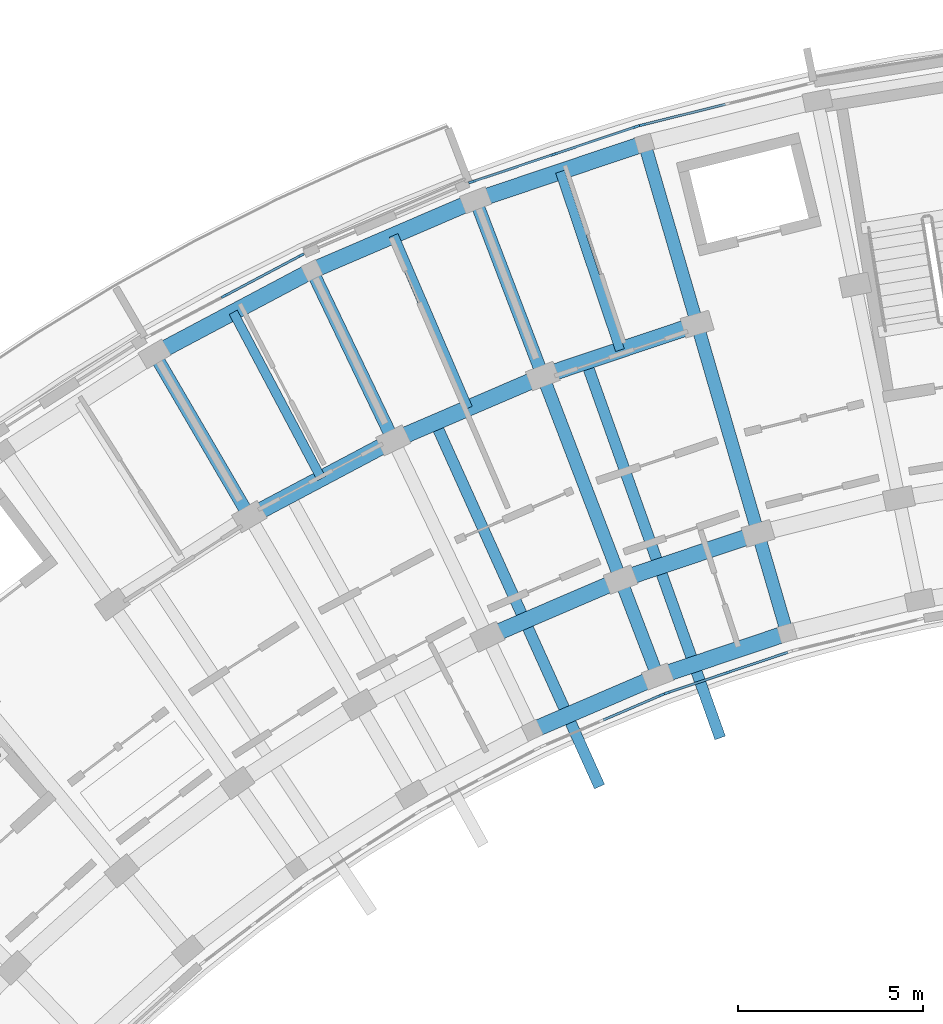
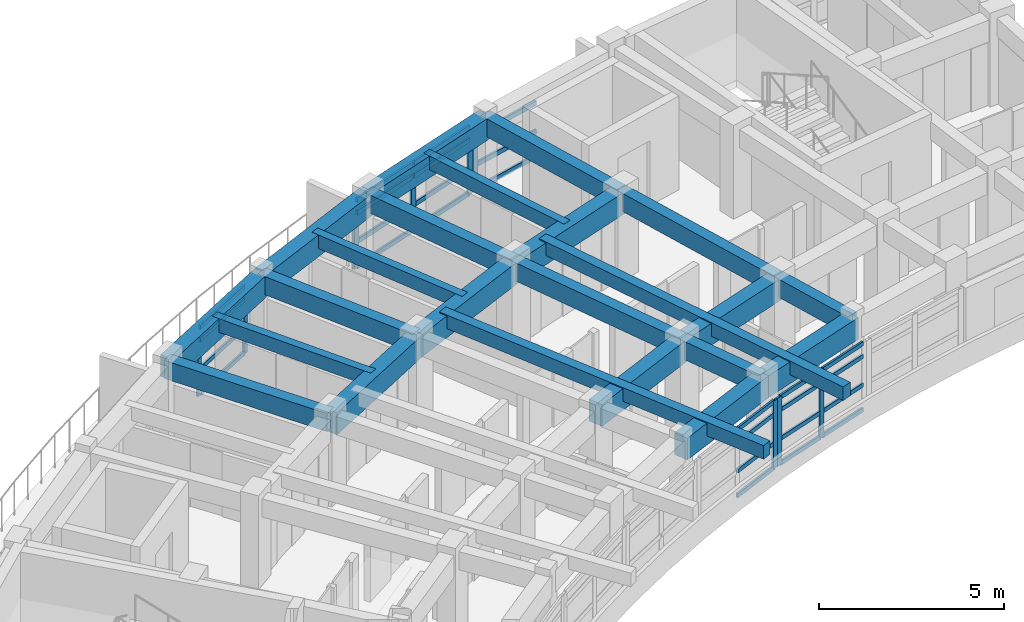
# One storey, part 5 of 54: 36 members, 23 beams, 5 elements without a shape of their own.
"""IFC4 building model written with IfcOpenShell, lengths in metres."""

import ifcopenshell
import ifcopenshell.guid

model = None  # the IFC model being written
_history = None  # IfcOwnerHistory: only IFC2X3 demands one
_inside = {}  # id of a spatial element -> (the spatial element, [elements in it])
_under = {}  # id of a project, library or spatial element -> (it, [spatial elements below it])
_declared = {}  # id of a project -> (the project, [libraries it declares])
_typed = {}  # id of a type object -> (the type object, [elements of that type])
_made_of = {}  # id of a material, layer set ... -> (it, [elements and type objects made of it])


def new_model(schema):
    """Start an empty IFC model of exactly this schema.

    Asked for "IFC4X3", IfcOpenShell would pick the latest addendum, in which some entities
    have other attributes; the version numbers below select the first issue.
    IFC2X3 requires an IfcOwnerHistory on every rooted entity: one is made here for all.
    """
    global model, _history
    if schema == "IFC4X3":
        model = ifcopenshell.file(schema_version=(4, 3, 0, 0))
    else:
        model = ifcopenshell.file(schema=schema)
    _inside.clear()
    _under.clear()
    _declared.clear()
    _typed.clear()
    _made_of.clear()
    _history = None
    if model.schema == "IFC2X3":
        org = make("IfcOrganization", Name="unknown")
        user = make(
            "IfcPersonAndOrganization",
            ThePerson=make("IfcPerson", FamilyName="unknown"),
            TheOrganization=org,
        )
        app = make(
            "IfcApplication",
            ApplicationDeveloper=org,
            Version="unknown",
            ApplicationFullName="unknown",
            ApplicationIdentifier="unknown",
        )
        _history = make(
            "IfcOwnerHistory",
            OwningUser=user,
            OwningApplication=app,
            ChangeAction="ADDED",
            CreationDate=0,
        )
    return model


def make(cls, **values):
    """One entity of the class cls with the attributes given. An attribute that is None is left unset."""
    return model.create_entity(
        cls, **{name: value for name, value in values.items() if value is not None}
    )


def rooted(cls, **values):
    """An entity with a GlobalId (a new one), such as an element, a storey or a relation."""
    return make(cls, GlobalId=ifcopenshell.guid.new(), OwnerHistory=_history, **values)


def si_unit(unit_type, name, prefix=None):
    """IfcSIUnit, for example si_unit("LENGTHUNIT", "METRE", prefix="MILLI")."""
    return make("IfcSIUnit", UnitType=unit_type, Prefix=prefix, Name=name)


def assignment(units):
    """IfcUnitAssignment: the units of a project."""
    return None if units is None else make("IfcUnitAssignment", Units=units)


def point(xyz):
    """IfcCartesianPoint."""
    return None if xyz is None else make("IfcCartesianPoint", Coordinates=xyz)


def direction(xyz):
    """IfcDirection."""
    return None if xyz is None else make("IfcDirection", DirectionRatios=xyz)


def frame(location, z_axis=None, x_axis=None):
    """IfcAxis2Placement3D, a coordinate frame: its origin and axes. An axis left out is left unset."""
    return make(
        "IfcAxis2Placement3D",
        Location=point(location),
        Axis=direction(z_axis),
        RefDirection=direction(x_axis),
    )


def frame_2d(location, x_axis=None):
    """IfcAxis2Placement2D, a coordinate frame in the plane: its origin and x axis."""
    return make(
        "IfcAxis2Placement2D", Location=point(location), RefDirection=direction(x_axis)
    )


def origin():
    """The frame at (0, 0, 0) with its axes left unset."""
    return frame((0.0, 0.0, 0.0))


def origin_2d():
    """The frame at (0, 0) in the plane with its x axis left unset."""
    return frame_2d((0.0, 0.0))


def place(relative_to, where):
    """IfcLocalPlacement: puts the frame where relative to a parent placement (None: the world)."""
    return make(
        "IfcLocalPlacement", PlacementRelTo=relative_to, RelativePlacement=where
    )


def context(
    kind, dimensions, precision=None, world=None, true_north=None, identifier=None
):
    """IfcGeometricRepresentationContext, for example the 3D "Model" context."""
    return make(
        "IfcGeometricRepresentationContext",
        ContextIdentifier=identifier,
        ContextType=kind,
        CoordinateSpaceDimension=dimensions,
        Precision=precision,
        WorldCoordinateSystem=world,
        TrueNorth=true_north,
    )


def subcontext(parent, identifier, kind, view, scale=None):
    """IfcGeometricRepresentationSubContext, for example "Body" below "Model"."""
    return make(
        "IfcGeometricRepresentationSubContext",
        ContextIdentifier=identifier,
        ContextType=kind,
        ParentContext=parent,
        TargetScale=scale,
        TargetView=view,
    )


def project(units=None, contexts=None):
    """IfcProject with its units and contexts."""
    return rooted(
        "IfcProject",
        Name="project",
        RepresentationContexts=contexts,
        UnitsInContext=assignment(units),
    )


def spatial(cls, under=None, at=None, **own):
    """A site, building, storey or space (cls), placed at a placement, below another one or the project."""
    s = rooted(cls, ObjectPlacement=at, **own)
    if under is not None:
        _under.setdefault(under.id(), (under, []))[1].append(s)
    return s


def profile(cls, at=None, kind="AREA", **sizes):
    """A parametric profile (cls). Its sizes go by their IFC names, for example OverallWidth=200.0."""
    return make(cls, ProfileType=kind, Position=at, **sizes)


def rectangle(**sizes):
    """IfcRectangleProfileDef."""
    return profile("IfcRectangleProfileDef", **sizes)


def extrude(swept, where, along, depth):
    """IfcExtrudedAreaSolid: the profile swept, set in the frame where, extruded along a direction by depth."""
    return make(
        "IfcExtrudedAreaSolid",
        SweptArea=swept,
        Position=where,
        ExtrudedDirection=direction(along),
        Depth=depth,
    )


def shape(context_of_items, identifier, shape_type, items):
    """IfcShapeRepresentation: the items that make up one representation, for example the "Body"."""
    return make(
        "IfcShapeRepresentation",
        ContextOfItems=context_of_items,
        RepresentationIdentifier=identifier,
        RepresentationType=shape_type,
        Items=items,
    )


def material(Name=None, Category=None):
    """IfcMaterial."""
    return make("IfcMaterial", Name=Name, Category=Category)


def material_profile(
    of_material, cross_section, Name=None, Category=None, Priority=None
):
    """IfcMaterialProfile: a cross section and its material."""
    return make(
        "IfcMaterialProfile",
        Name=Name,
        Material=of_material,
        Profile=cross_section,
        Priority=Priority,
        Category=Category,
    )


def profile_set(profiles, Name=None, composite=None):
    """IfcMaterialProfileSet."""
    return make(
        "IfcMaterialProfileSet",
        Name=Name,
        MaterialProfiles=profiles,
        CompositeProfile=composite,
    )


def made_of(thing, what):
    """Note that an element or type object is made of a material, layer set ...; save() writes the relation."""
    if what is not None:
        _made_of.setdefault(what.id(), (what, []))[1].append(thing)
    return thing


def type_object(cls, material=None, **own):
    """A type object (cls), such as IfcWallType, which elements share."""
    return made_of(rooted(cls, **own), material)


def element(
    cls,
    number,
    at=None,
    inside=None,
    cuts=None,
    type_object=None,
    material=None,
    context=None,
    identifier="Body",
    shape_type=None,
    held_by="IfcProductDefinitionShape",
    body=None,
    shapes=None,
    **own,
):
    """One element of the class cls, such as IfcWall. Its Tag is "e" and its number.

    at: its placement. inside: the storey or other place that contains it. cuts: it is an
    opening in that element (IfcRelVoidsElement). A single representation is given by context,
    identifier, shape_type and body (its items); several are given by shapes. held_by: the class
    of the entity that holds the representations. save() writes the other relations.
    """
    e = rooted(cls, Tag="e%d" % number, ObjectPlacement=at, **own)
    if body is not None:
        shapes = [shape(context, identifier, shape_type, body)]
    if shapes is not None:
        e.Representation = make(held_by, Representations=shapes)
    if inside is not None:
        _inside.setdefault(inside.id(), (inside, []))[1].append(e)
    if cuts is not None:
        rooted(
            "IfcRelVoidsElement", RelatingBuildingElement=cuts, RelatedOpeningElement=e
        )
    if type_object is not None:
        _typed.setdefault(type_object.id(), (type_object, []))[1].append(e)
    return made_of(e, material)


def aggregate(whole, parts):
    """IfcRelAggregates: a whole, such as a stair, and the parts it consists of."""
    return rooted("IfcRelAggregates", RelatingObject=whole, RelatedObjects=parts)


def save(model, path):
    """Write the relations noted so far, then the file.

    IfcRelAggregates (storeys below a building ...), IfcRelContainedInSpatialStructure (elements
    in a storey), IfcRelDefinesByType, IfcRelAssociatesMaterial and IfcRelDeclares: one each for
    every whole, place, type object, material and project.
    """
    for whole, parts in _under.values():
        aggregate(whole, parts)
    for where, things in _inside.values():
        rooted(
            "IfcRelContainedInSpatialStructure",
            RelatedElements=things,
            RelatingStructure=where,
        )
    for kind, things in _typed.values():
        rooted("IfcRelDefinesByType", RelatedObjects=things, RelatingType=kind)
    for what, things in _made_of.values():
        rooted("IfcRelAssociatesMaterial", RelatedObjects=things, RelatingMaterial=what)
    for by, libraries in _declared.values():
        rooted("IfcRelDeclares", RelatingContext=by, RelatedDefinitions=libraries)
    model.write(path)


model = new_model("IFC4")

# Units and contexts
model_context = context("Model", 3, precision=1e-05, world=origin(), true_north=direction((0.0, 1.0)))
body_context = subcontext(model_context, "Body", "Model", "MODEL_VIEW")
ifc_project = project(units=[si_unit("LENGTHUNIT", "METRE"), si_unit("AREAUNIT", "SQUARE_METRE"), si_unit("VOLUMEUNIT", "CUBIC_METRE"), si_unit("PLANEANGLEUNIT", "RADIAN"), si_unit("MASSUNIT", "GRAM", prefix="KILO")], contexts=[model_context])

# Site, building, storey
site_placement = place(None, origin())
site = spatial("IfcSite", under=ifc_project, at=site_placement, CompositionType="ELEMENT")
building_placement = place(site_placement, origin())
building = spatial("IfcBuilding", under=site, at=building_placement, Name="Zimvara Arc Housing Community", CompositionType="ELEMENT")
storey_placement = place(building_placement, frame((0.0, 0.0, 20.5)))
storey = spatial("IfcBuildingStorey", under=building, at=storey_placement, Name="L06", CompositionType="ELEMENT", Elevation=20.5)

# Beams
ifc_material_1 = material(Name="Concrete C40/50", Category="concrete")
ifc_material_profile_1 = material_profile(ifc_material_1, rectangle(XDim=0.25, YDim=0.449951171875, at=origin_2d()), Name="RC 250x450")
ifc_profile_set_1 = profile_set([ifc_material_profile_1], Name="Concrete C40/50")
beam_type_1 = type_object("IfcBeamType", Name="BM-RC-250x450", PredefinedType="JOIST", material=ifc_profile_set_1)
beam_1_placement = place(storey_placement, frame((19.813232421875, 91.9892578125, 2.635009765625), z_axis=(-0.46853732736, 0.883443701019, 0.0), x_axis=(-0.883443701019, -0.46853732736, 0.0)))
element("IfcBeam", 1, at=beam_1_placement, inside=storey, type_object=beam_type_1, Name="bm:blkA:L06:joist:b4", PredefinedType="JOIST", context=body_context, shape_type="SweptSolid", body=[
    extrude(rectangle(XDim=0.25, YDim=0.449951171875, at=origin_2d()), origin(), (0.0, 0.0, 1.0), 5.07568359375),
])
beam_2_placement = place(storey_placement, frame((23.77197265625, 93.885986328125, 2.635009765625), z_axis=(-0.394929109608, 0.918711596958, 0.0), x_axis=(-0.918711596958, -0.394929109608, 0.0)))
element("IfcBeam", 2, at=beam_2_placement, inside=storey, type_object=beam_type_1, Name="bm:blkA:L06:joist:b5", PredefinedType="JOIST", context=body_context, shape_type="SweptSolid", body=[
    extrude(rectangle(XDim=0.25, YDim=0.449951171875, at=origin_2d()), origin(), (0.0, 0.0, 1.0), 5.075927734375),
])
beam_3_placement = place(storey_placement, frame((27.8720703125, 95.453369140625, 2.635009765625), z_axis=(-0.318607669836, 0.947886677152, 0.0), x_axis=(-0.947886677152, -0.318607669836, 0.0)))
element("IfcBeam", 3, at=beam_3_placement, inside=storey, type_object=beam_type_1, Name="bm:blkA:L06:joist:b6", PredefinedType="JOIST", context=body_context, shape_type="SweptSolid", body=[
    extrude(rectangle(XDim=0.25, YDim=0.449951171875, at=origin_2d()), origin(), (0.0, 0.0, 1.0), 5.07568359375),
])
ifc_material_2 = material(Name="Concrete C40/50", Category="concrete")
ifc_material_profile_2 = material_profile(ifc_material_2, rectangle(XDim=0.300048828125, YDim=0.449951171875, at=origin_2d()), Name="RC 300x450")
ifc_profile_set_2 = profile_set([ifc_material_profile_2], Name="Concrete C40/50")
beam_type_2 = type_object("IfcBeamType", Name="BM-RC-300x450", PredefinedType="JOIST", material=ifc_profile_set_2)
beam_4_placement = place(storey_placement, frame((22.869384765625, 93.53759765625, 2.6650390625), z_axis=(0.411355165121, -0.911475138513, 0.0), x_axis=(0.911475138513, 0.411355165121, 0.0)))
element("IfcBeam", 4, at=beam_4_placement, inside=storey, type_object=beam_type_2, Name="bm:blkA:L06:cant_in:b5", PredefinedType="JOIST", context=body_context, shape_type="SweptSolid", body=[
    extrude(rectangle(XDim=0.300048828125, YDim=0.449951171875, at=origin_2d()), origin(), (0.0, 0.0, 1.0), 10.820068359375),
])
beam_5_placement = place(storey_placement, frame((26.9443359375, 95.1796875, 2.6650390625), z_axis=(0.335595863833, -0.942006059523, 0.0), x_axis=(0.942006059523, 0.335595863833, 0.0)))
element("IfcBeam", 5, at=beam_5_placement, inside=storey, type_object=beam_type_2, Name="bm:blkA:L06:cant_in:b6", PredefinedType="JOIST", context=body_context, shape_type="SweptSolid", body=[
    extrude(rectangle(XDim=0.300048828125, YDim=0.449951171875, at=origin_2d()), origin(), (0.0, 0.0, 1.0), 10.81982421875),
])
ifc_material_3 = material(Name="Concrete C40/50", Category="concrete")
ifc_material_profile_3 = material_profile(ifc_material_3, rectangle(XDim=0.35009765625, YDim=0.60009765625, at=origin_2d()), Name="RC 350x600")
ifc_profile_set_3 = profile_set([ifc_material_profile_3], Name="Concrete C40/50")
beam_type_3 = type_object("IfcBeamType", Name="BM-RC-350x600", PredefinedType="BEAM", material=ifc_profile_set_3)
beam_6_placement = place(storey_placement, frame((17.87255859375, 90.960205078125, 2.56005859375), z_axis=(-0.504196701544, 0.863588840915, 0.0), x_axis=(-0.863588840915, -0.504196701544, 0.0)))
element("IfcBeam", 6, at=beam_6_placement, inside=storey, type_object=beam_type_3, Name="bm:blkA:L06:rad:b4:r23", PredefinedType="BEAM", context=body_context, shape_type="SweptSolid", body=[
    extrude(rectangle(XDim=0.35009765625, YDim=0.60009765625, at=origin_2d()), origin(), (0.0, 0.0, 1.0), 5.079833984375),
])
beam_7_placement = place(storey_placement, frame((21.75390625, 93.0185546875, 2.56005859375), z_axis=(-0.432098194978, 0.901826563091, 0.0), x_axis=(-0.901826563091, -0.432098194978, 0.0)))
element("IfcBeam", 7, at=beam_7_placement, inside=storey, type_object=beam_type_3, Name="bm:blkA:L06:rad:b5:r23", PredefinedType="BEAM", context=body_context, shape_type="SweptSolid", body=[
    extrude(rectangle(XDim=0.35009765625, YDim=0.60009765625, at=origin_2d()), origin(), (0.0, 0.0, 1.0), 5.080078125),
])
beam_8_placement = place(storey_placement, frame((28.88916015625, 86.645751953125, 2.56005859375), z_axis=(-0.357079289134, 0.934074076972, 0.0), x_axis=(-0.934074076972, -0.357079289134, 0.0)))
element("IfcBeam", 8, at=beam_8_placement, inside=storey, type_object=beam_type_3, Name="bm:blkA:L06:rad:b6:r01", PredefinedType="BEAM", context=body_context, shape_type="SweptSolid", body=[
    extrude(rectangle(XDim=0.35009765625, YDim=0.60009765625, at=origin_2d()), origin(), (0.0, 0.0, 1.0), 2.7998046875),
])
beam_9_placement = place(storey_placement, frame((27.889404296875, 89.260986328125, 2.56005859375), z_axis=(-0.357036247742, 0.934090529766, 0.0), x_axis=(-0.934090529766, -0.357036247742, 0.0)))
element("IfcBeam", 9, at=beam_9_placement, inside=storey, type_object=beam_type_3, Name="bm:blkA:L06:rad:b6:r12", PredefinedType="BEAM", context=body_context, shape_type="SweptSolid", body=[
    extrude(rectangle(XDim=0.35009765625, YDim=0.60009765625, at=origin_2d()), origin(), (0.0, 0.0, 1.0), 5.8798828125),
])
beam_10_placement = place(storey_placement, frame((25.7900390625, 94.75341796875, 2.56005859375), z_axis=(-0.357078271386, 0.934074466038, 0.0), x_axis=(-0.934074466038, -0.357078271386, 0.0)))
element("IfcBeam", 10, at=beam_10_placement, inside=storey, type_object=beam_type_3, Name="bm:blkA:L06:rad:b6:r23", PredefinedType="BEAM", context=body_context, shape_type="SweptSolid", body=[
    extrude(rectangle(XDim=0.35009765625, YDim=0.60009765625, at=origin_2d()), origin(), (0.0, 0.0, 1.0), 5.080078125),
])
beam_11_placement = place(storey_placement, frame((32.381591796875, 87.819580078125, 2.56005859375), z_axis=(-0.279635015525, 0.960106378529, 0.0), x_axis=(-0.960106378529, -0.279635015525, 0.0)))
element("IfcBeam", 11, at=beam_11_placement, inside=storey, type_object=beam_type_3, Name="bm:blkA:L06:rad:b7:r01", PredefinedType="BEAM", context=body_context, shape_type="SweptSolid", body=[
    extrude(rectangle(XDim=0.35009765625, YDim=0.60009765625, at=origin_2d()), origin(), (0.0, 0.0, 1.0), 2.800048828125),
])
beam_12_placement = place(storey_placement, frame((31.5986328125, 90.5078125, 2.56005859375), z_axis=(-0.27967473749, 0.960094808449, 0.0), x_axis=(-0.960094808449, -0.27967473749, 0.0)))
element("IfcBeam", 12, at=beam_12_placement, inside=storey, type_object=beam_type_3, Name="bm:blkA:L06:rad:b7:r12", PredefinedType="BEAM", context=body_context, shape_type="SweptSolid", body=[
    extrude(rectangle(XDim=0.35009765625, YDim=0.60009765625, at=origin_2d()), origin(), (0.0, 0.0, 1.0), 5.880126953125),
])
beam_13_placement = place(storey_placement, frame((29.9541015625, 96.1533203125, 2.56005859375), z_axis=(-0.279662254096, 0.960098444762, 0.0), x_axis=(-0.960098444762, -0.279662254096, 0.0)))
element("IfcBeam", 13, at=beam_13_placement, inside=storey, type_object=beam_type_3, Name="bm:blkA:L06:rad:b7:r23", PredefinedType="BEAM", context=body_context, shape_type="SweptSolid", body=[
    extrude(rectangle(XDim=0.35009765625, YDim=0.60009765625, at=origin_2d()), origin(), (0.0, 0.0, 1.0), 5.079833984375),
])
ifc_material_4 = material(Name="Concrete C40/50", Category="concrete")
ifc_material_profile_4 = material_profile(ifc_material_4, rectangle(XDim=0.43994140625, YDim=0.719970703125, at=origin_2d()), Name="RC 440x720")
ifc_profile_set_4 = profile_set([ifc_material_profile_4], Name="Concrete C40/50")
beam_type_4 = type_object("IfcBeamType", Name="BM-RC-440x720", PredefinedType="BEAM", material=ifc_profile_set_4)
for number, where, z_axis, x_axis, name in (
    (14, (25.50439453125, 85.190673828125, 2.5), (0.918705736243, 0.394942742932, 0.0), (-0.394942742932, 0.918705736243, 0.0), "bm:blkA:L06:chord:r0:b5"),
    (15, (28.88916015625, 86.645751953125, 2.5), (0.94789181932, 0.31859237101, 0.0), (-0.31859237101, 0.94789181932, 0.0), "bm:blkA:L06:chord:r0:b6"),
):
    element("IfcBeam", number, at=place(storey_placement, frame(where, z_axis=z_axis, x_axis=x_axis)), inside=storey, type_object=beam_type_4, Name=name, PredefinedType="BEAM", context=body_context, shape_type="SweptSolid", body=[
        extrude(rectangle(XDim=0.43994140625, YDim=0.719970703125, at=origin_2d()), origin(), (0.0, 0.0, 1.0), 3.684326171875),
    ])
for number, where, z_axis, x_axis, name in (
    (16, (24.29443359375, 87.7158203125, 2.5), (0.91873144242, 0.394882940514, 0.0), (-0.394882940514, 0.91873144242, 0.0), "bm:blkA:L06:chord:r1:b5"),
    (17, (27.889404296875, 89.260986328125, 2.5), (0.947881689069, 0.31862250945, 0.0), (-0.31862250945, 0.947881689069, 0.0), "bm:blkA:L06:chord:r1:b6"),
):
    element("IfcBeam", number, at=place(storey_placement, frame(where, z_axis=z_axis, x_axis=x_axis)), inside=storey, type_object=beam_type_4, Name=name, PredefinedType="BEAM", context=body_context, shape_type="SweptSolid", body=[
        extrude(rectangle(XDim=0.43994140625, YDim=0.719970703125, at=origin_2d()), origin(), (0.0, 0.0, 1.0), 3.9130859375),
    ])
for number, where, z_axis, x_axis, name in (
    (18, (17.87255859375, 90.960205078125, 2.5), (0.883456526058, 0.468513144496, 0.0), (-0.468513144496, 0.883456526058, 0.0), "bm:blkA:L06:chord:r2:b4"),
    (19, (21.75390625, 93.0185546875, 2.5), (0.918724840088, 0.394898301093, 0.0), (-0.394898301093, 0.918724840088, 0.0), "bm:blkA:L06:chord:r2:b5"),
):
    element("IfcBeam", number, at=place(storey_placement, frame(where, z_axis=z_axis, x_axis=x_axis)), inside=storey, type_object=beam_type_4, Name=name, PredefinedType="BEAM", context=body_context, shape_type="SweptSolid", body=[
        extrude(rectangle(XDim=0.43994140625, YDim=0.719970703125, at=origin_2d()), origin(), (0.0, 0.0, 1.0), 4.393310546875),
    ])
beam_14_placement = place(storey_placement, frame((25.7900390625, 94.75341796875, 2.5), z_axis=(0.947868796036, 0.318660862832, 0.0), x_axis=(-0.318660862832, 0.947868796036, 0.0)))
element("IfcBeam", 20, at=beam_14_placement, inside=storey, type_object=beam_type_4, Name="bm:blkA:L06:chord:r2:b6", PredefinedType="BEAM", context=body_context, shape_type="SweptSolid", body=[
    extrude(rectangle(XDim=0.43994140625, YDim=0.719970703125, at=origin_2d()), origin(), (0.0, 0.0, 1.0), 4.39306640625),
])
beam_15_placement = place(storey_placement, frame((15.311279296875, 95.34716796875, 2.5), z_axis=(0.883445542299, 0.468533855546, 0.0), x_axis=(-0.468533855546, 0.883445542299, 0.0)))
element("IfcBeam", 21, at=beam_15_placement, inside=storey, type_object=beam_type_4, Name="bm:blkA:L06:chord:r3:b4", PredefinedType="BEAM", context=body_context, shape_type="SweptSolid", body=[
    extrude(rectangle(XDim=0.43994140625, YDim=0.719970703125, at=origin_2d()), origin(), (0.0, 0.0, 1.0), 4.807861328125),
])
beam_16_placement = place(storey_placement, frame((19.558837890625, 97.599853515625, 2.5), z_axis=(0.918724276228, 0.394899612901, 0.0), x_axis=(-0.394899612901, 0.918724276228, 0.0)))
element("IfcBeam", 22, at=beam_16_placement, inside=storey, type_object=beam_type_4, Name="bm:blkA:L06:chord:r3:b5", PredefinedType="BEAM", context=body_context, shape_type="SweptSolid", body=[
    extrude(rectangle(XDim=0.43994140625, YDim=0.719970703125, at=origin_2d()), origin(), (0.0, 0.0, 1.0), 4.80810546875),
])
beam_17_placement = place(storey_placement, frame((23.97607421875, 99.49853515625, 2.5), z_axis=(0.947877948153, 0.31863363822, 0.0), x_axis=(-0.31863363822, 0.947877948153, 0.0)))
element("IfcBeam", 23, at=beam_17_placement, inside=storey, type_object=beam_type_4, Name="bm:blkA:L06:chord:r3:b6", PredefinedType="BEAM", context=body_context, shape_type="SweptSolid", body=[
    extrude(rectangle(XDim=0.43994140625, YDim=0.719970703125, at=origin_2d()), origin(), (0.0, 0.0, 1.0), 4.807861328125),
])

# Curtain wall, members
ifc_material_5 = material(Name="Anodised Aluminium AW-6063", Category="aluminium")
curtain_wall_type_1 = type_object("IfcCurtainWallType", Name="CW-SYS-06", PredefinedType="USERDEFINED", material=ifc_material_5)
curtain_wall_1_placement = place(storey_placement, origin())
curtain_wall_1 = element("IfcCurtainWall", 24, at=curtain_wall_1_placement, inside=storey, type_object=curtain_wall_type_1, Name="cw:blkA:L06:out:b4", ObjectType="CURTAIN WALL", PredefinedType="USERDEFINED")
ifc_material_6 = material(Name="Anodised Aluminium AW-6063", Category="aluminium")
ifc_material_profile_5 = material_profile(ifc_material_6, rectangle(XDim=0.06494140625, YDim=0.179931640625, at=origin_2d()), Name="ALU 65x180")
ifc_profile_set_5 = profile_set([ifc_material_profile_5], Name="Anodised Aluminium AW-6063")
member_type_1 = type_object("IfcMemberType", Name="CWM-65x150", PredefinedType="MULLION", material=ifc_profile_set_5)
member_1_placement = place(storey_placement, frame((17.200927734375, 96.914794921875, 0.0), z_axis=(0.0, 0.0, 1.0), x_axis=(-0.468546917761, 0.883438614651, 0.0)))
member_1 = element("IfcMember", 25, at=member_1_placement, type_object=member_type_1, Name="CW06 mullion 2", PredefinedType="MULLION", context=body_context, shape_type="SweptSolid", body=[
    extrude(rectangle(XDim=0.06494140625, YDim=0.179931640625, at=origin_2d()), origin(), (0.0, 0.0, 1.0), 2.25),
])
member_2_placement = place(storey_placement, frame((19.260986328125, 98.007568359375, 0.0), z_axis=(0.0, 0.0, 1.0), x_axis=(-0.468546917761, 0.883438614651, 0.0)))
member_2 = element("IfcMember", 26, at=member_2_placement, type_object=member_type_1, Name="CW06 mullion 3", PredefinedType="MULLION", context=body_context, shape_type="SweptSolid", body=[
    extrude(rectangle(XDim=0.06494140625, YDim=0.179931640625, at=origin_2d()), origin(), (0.0, 0.0, 1.0), 2.25),
])

# Curtain wall, member
ifc_material_7 = material(Name="Anodised Aluminium AW-6063", Category="aluminium")
curtain_wall_type_2 = type_object("IfcCurtainWallType", Name="CW-SYS-08", PredefinedType="USERDEFINED", material=ifc_material_7)
curtain_wall_2_placement = place(storey_placement, origin())
curtain_wall_2 = element("IfcCurtainWall", 27, at=curtain_wall_2_placement, inside=storey, type_object=curtain_wall_type_2, Name="cw:blkA:L06:in:b5", ObjectType="CURTAIN WALL", PredefinedType="USERDEFINED")
member_3_placement = place(storey_placement, frame((28.98291015625, 86.14208984375, 0.0), z_axis=(0.0, 0.0, 1.0), x_axis=(-0.394904493375, 0.918722178415, 0.0)))
member_3 = element("IfcMember", 28, at=member_3_placement, type_object=member_type_1, Name="CW08 mullion 3", PredefinedType="MULLION", context=body_context, shape_type="SweptSolid", body=[
    extrude(rectangle(XDim=0.06494140625, YDim=0.179931640625, at=origin_2d()), origin(), (0.0, 0.0, 1.0), 2.25),
])

# Curtain wall, members
ifc_material_8 = material(Name="Anodised Aluminium AW-6063", Category="aluminium")
curtain_wall_type_3 = type_object("IfcCurtainWallType", Name="CW-SYS-02", PredefinedType="USERDEFINED", material=ifc_material_8)
curtain_wall_3_placement = place(storey_placement, origin())
curtain_wall_3 = element("IfcCurtainWall", 29, at=curtain_wall_3_placement, inside=storey, type_object=curtain_wall_type_3, Name="cw:blkA:L06:in:b6", ObjectType="CURTAIN WALL", PredefinedType="USERDEFINED")
member_4_placement = place(storey_placement, frame((29.155517578125, 86.2080078125, 0.0), z_axis=(0.0, 0.0, 1.0), x_axis=(-0.318630249383, 0.94787908732, 0.0)))
member_4 = element("IfcMember", 30, at=member_4_placement, type_object=member_type_1, Name="CW02 mullion 1", PredefinedType="MULLION", context=body_context, shape_type="SweptSolid", body=[
    extrude(rectangle(XDim=0.06494140625, YDim=0.179931640625, at=origin_2d()), origin(), (0.0, 0.0, 1.0), 2.25),
])
member_5_placement = place(storey_placement, frame((30.794677734375, 86.759033203125, 0.0), z_axis=(0.0, 0.0, 1.0), x_axis=(-0.318630249383, 0.94787908732, 0.0)))
member_5 = element("IfcMember", 31, at=member_5_placement, type_object=member_type_1, Name="CW02 mullion 2", PredefinedType="MULLION", context=body_context, shape_type="SweptSolid", body=[
    extrude(rectangle(XDim=0.06494140625, YDim=0.179931640625, at=origin_2d()), origin(), (0.0, 0.0, 1.0), 2.25),
])

ifc_material_9 = material(Name="Anodised Aluminium AW-6063", Category="aluminium")
curtain_wall_type_4 = type_object("IfcCurtainWallType", Name="CW-SYS-01", PredefinedType="USERDEFINED", material=ifc_material_9)
curtain_wall_4_placement = place(storey_placement, origin())
curtain_wall_4 = element("IfcCurtainWall", 32, at=curtain_wall_4_placement, inside=storey, type_object=curtain_wall_type_4, Name="cw:blkA:L06:out:b6", ObjectType="CURTAIN WALL", PredefinedType="USERDEFINED")
ifc_material_10 = material(Name="Anodised Aluminium AW-6063", Category="aluminium")
ifc_material_profile_6 = material_profile(ifc_material_10, rectangle(XDim=0.06494140625, YDim=0.195068359375, at=origin_2d()), Name="ALU 65x195")
ifc_profile_set_6 = profile_set([ifc_material_profile_6], Name="Anodised Aluminium AW-6063")
member_type_2 = type_object("IfcMemberType", Name="CWM-65x180", PredefinedType="MULLION", material=ifc_profile_set_6)
member_6_placement = place(storey_placement, frame((23.88525390625, 99.9951171875, 0.0), z_axis=(0.0, 0.0, 1.0), x_axis=(-0.318628583921, 0.947879647164, 0.0)))
member_6 = element("IfcMember", 33, at=member_6_placement, type_object=member_type_2, Name="CW01 mullion 1", PredefinedType="MULLION", context=body_context, shape_type="SweptSolid", body=[
    extrude(rectangle(XDim=0.06494140625, YDim=0.195068359375, at=origin_2d()), origin(), (0.0, 0.0, 1.0), 2.25),
])
member_7_placement = place(storey_placement, frame((26.095703125, 100.73828125, 0.0), z_axis=(0.0, 0.0, 1.0), x_axis=(-0.318628583921, 0.947879647164, 0.0)))
member_7 = element("IfcMember", 34, at=member_7_placement, type_object=member_type_2, Name="CW01 mullion 2", PredefinedType="MULLION", context=body_context, shape_type="SweptSolid", body=[
    extrude(rectangle(XDim=0.06494140625, YDim=0.195068359375, at=origin_2d()), origin(), (0.0, 0.0, 1.0), 2.25),
])
member_8_placement = place(storey_placement, frame((28.305908203125, 101.481201171875, 0.0), z_axis=(0.0, 0.0, 1.0), x_axis=(-0.318628583921, 0.947879647164, 0.0)))
member_8 = element("IfcMember", 35, at=member_8_placement, type_object=member_type_2, Name="CW01 mullion 3", PredefinedType="MULLION", context=body_context, shape_type="SweptSolid", body=[
    extrude(rectangle(XDim=0.06494140625, YDim=0.195068359375, at=origin_2d()), origin(), (0.0, 0.0, 1.0), 2.25),
])

# Curtain wall, member
ifc_material_11 = material(Name="Anodised Aluminium AW-6063", Category="aluminium")
curtain_wall_type_5 = type_object("IfcCurtainWallType", Name="CW-SYS-03", PredefinedType="USERDEFINED", material=ifc_material_11)
curtain_wall_5_placement = place(storey_placement, origin())
curtain_wall_5 = element("IfcCurtainWall", 36, at=curtain_wall_5_placement, inside=storey, type_object=curtain_wall_type_5, Name="cw:blkA:L06:out:b7", ObjectType="CURTAIN WALL", PredefinedType="USERDEFINED")
member_9_placement = place(storey_placement, frame((28.4833984375, 101.532958984375, 0.0), z_axis=(0.0, 0.0, 1.0), x_axis=(-0.240229711131, 0.970716068627, 0.0)))
member_9 = element("IfcMember", 37, at=member_9_placement, type_object=member_type_2, Name="CW03 mullion 1", PredefinedType="MULLION", context=body_context, shape_type="SweptSolid", body=[
    extrude(rectangle(XDim=0.06494140625, YDim=0.195068359375, at=origin_2d()), origin(), (0.0, 0.0, 1.0), 2.25),
])

# Member
ifc_material_12 = material(Name="Anodised Aluminium AW-6063", Category="aluminium")
ifc_material_profile_7 = material_profile(ifc_material_12, rectangle(XDim=0.06494140625, YDim=0.139892578125, at=origin_2d()), Name="ALU 65x140")
ifc_profile_set_7 = profile_set([ifc_material_profile_7], Name="Anodised Aluminium AW-6063")
member_type_3 = type_object("IfcMemberType", Name="CWT-65x120", PredefinedType="USERDEFINED", material=ifc_profile_set_7)
member_10_placement = place(storey_placement, frame((17.2294921875, 96.93017578125, 0.032470703125), z_axis=(0.883489114766, 0.468451688107, 0.0), x_axis=(-0.468451688107, 0.883489114766, 0.0)))
member_10 = element("IfcMember", 38, at=member_10_placement, type_object=member_type_3, Name="CW06 transom 2.1", ObjectType="TRANSOM", PredefinedType="USERDEFINED", context=body_context, shape_type="SweptSolid", body=[
    extrude(rectangle(XDim=0.06494140625, YDim=0.139892578125, at=origin_2d()), origin(), (0.0, 0.0, 1.0), 2.26708984375),
])

member_11_placement = place(storey_placement, frame((17.2294921875, 96.93017578125, 0.85009765625), z_axis=(0.883489114766, 0.468451688107, 0.0), x_axis=(-0.468451688107, 0.883489114766, 0.0)))
member_11 = element("IfcMember", 39, at=member_11_placement, type_object=member_type_3, Name="CW06 transom 2.2", ObjectType="TRANSOM", PredefinedType="USERDEFINED", context=body_context, shape_type="SweptSolid", body=[
    extrude(rectangle(XDim=0.06494140625, YDim=0.139892578125, at=origin_2d()), origin(), (0.0, 0.0, 1.0), 2.26708984375),
])

member_12_placement = place(storey_placement, frame((17.2294921875, 96.93017578125, 1.800048828125), z_axis=(0.883489114766, 0.468451688107, 0.0), x_axis=(-0.468451688107, 0.883489114766, 0.0)))
member_12 = element("IfcMember", 40, at=member_12_placement, type_object=member_type_3, Name="CW06 transom 2.3", ObjectType="TRANSOM", PredefinedType="USERDEFINED", context=body_context, shape_type="SweptSolid", body=[
    extrude(rectangle(XDim=0.06494140625, YDim=0.139892578125, at=origin_2d()), origin(), (0.0, 0.0, 1.0), 2.26708984375),
])

member_13_placement = place(storey_placement, frame((17.2294921875, 96.93017578125, 2.217529296875), z_axis=(0.883489114766, 0.468451688107, 0.0), x_axis=(-0.468451688107, 0.883489114766, 0.0)))
member_13 = element("IfcMember", 41, at=member_13_placement, type_object=member_type_3, Name="CW06 transom 2.4", ObjectType="TRANSOM", PredefinedType="USERDEFINED", context=body_context, shape_type="SweptSolid", body=[
    extrude(rectangle(XDim=0.06494140625, YDim=0.139892578125, at=origin_2d()), origin(), (0.0, 0.0, 1.0), 2.26708984375),
])

aggregate(curtain_wall_1, [member_1, member_2, member_10, member_11, member_12, member_13])

member_14_placement = place(storey_placement, frame((27.423828125, 85.471923828125, 0.032470703125), z_axis=(0.918673978315, 0.395016609229, 0.0), x_axis=(-0.395016609229, 0.918673978315, 0.0)))
member_14 = element("IfcMember", 42, at=member_14_placement, type_object=member_type_3, Name="CW08 transom 2.1", ObjectType="TRANSOM", PredefinedType="USERDEFINED", context=body_context, shape_type="SweptSolid", body=[
    extrude(rectangle(XDim=0.06494140625, YDim=0.139892578125, at=origin_2d()), origin(), (0.0, 0.0, 1.0), 1.664306640625),
])

member_15_placement = place(storey_placement, frame((27.423828125, 85.471923828125, 0.85009765625), z_axis=(0.918673978315, 0.395016609229, 0.0), x_axis=(-0.395016609229, 0.918673978315, 0.0)))
member_15 = element("IfcMember", 43, at=member_15_placement, type_object=member_type_3, Name="CW08 transom 2.2", ObjectType="TRANSOM", PredefinedType="USERDEFINED", context=body_context, shape_type="SweptSolid", body=[
    extrude(rectangle(XDim=0.06494140625, YDim=0.139892578125, at=origin_2d()), origin(), (0.0, 0.0, 1.0), 1.664306640625),
])

member_16_placement = place(storey_placement, frame((27.423828125, 85.471923828125, 1.800048828125), z_axis=(0.918673978315, 0.395016609229, 0.0), x_axis=(-0.395016609229, 0.918673978315, 0.0)))
member_16 = element("IfcMember", 44, at=member_16_placement, type_object=member_type_3, Name="CW08 transom 2.3", ObjectType="TRANSOM", PredefinedType="USERDEFINED", context=body_context, shape_type="SweptSolid", body=[
    extrude(rectangle(XDim=0.06494140625, YDim=0.139892578125, at=origin_2d()), origin(), (0.0, 0.0, 1.0), 1.664306640625),
])

member_17_placement = place(storey_placement, frame((27.423828125, 85.471923828125, 2.217529296875), z_axis=(0.918673978315, 0.395016609229, 0.0), x_axis=(-0.395016609229, 0.918673978315, 0.0)))
member_17 = element("IfcMember", 45, at=member_17_placement, type_object=member_type_3, Name="CW08 transom 2.4", ObjectType="TRANSOM", PredefinedType="USERDEFINED", context=body_context, shape_type="SweptSolid", body=[
    extrude(rectangle(XDim=0.06494140625, YDim=0.139892578125, at=origin_2d()), origin(), (0.0, 0.0, 1.0), 1.664306640625),
])

aggregate(curtain_wall_2, [member_3, member_14, member_15, member_16, member_17])

member_18_placement = place(storey_placement, frame((29.186279296875, 86.218505859375, 0.032470703125), z_axis=(0.947888214723, 0.318603095385, 0.0), x_axis=(-0.318603095385, 0.947888214723, 0.0)))
member_18 = element("IfcMember", 46, at=member_18_placement, type_object=member_type_3, Name="CW02 transom 1.1", ObjectType="TRANSOM", PredefinedType="USERDEFINED", context=body_context, shape_type="SweptSolid", body=[
    extrude(rectangle(XDim=0.06494140625, YDim=0.139892578125, at=origin_2d()), origin(), (0.0, 0.0, 1.0), 1.664306640625),
])

member_19_placement = place(storey_placement, frame((29.186279296875, 86.218505859375, 0.85009765625), z_axis=(0.947888214723, 0.318603095385, 0.0), x_axis=(-0.318603095385, 0.947888214723, 0.0)))
member_19 = element("IfcMember", 47, at=member_19_placement, type_object=member_type_3, Name="CW02 transom 1.2", ObjectType="TRANSOM", PredefinedType="USERDEFINED", context=body_context, shape_type="SweptSolid", body=[
    extrude(rectangle(XDim=0.06494140625, YDim=0.139892578125, at=origin_2d()), origin(), (0.0, 0.0, 1.0), 1.664306640625),
])

member_20_placement = place(storey_placement, frame((29.186279296875, 86.218505859375, 1.800048828125), z_axis=(0.947888214723, 0.318603095385, 0.0), x_axis=(-0.318603095385, 0.947888214723, 0.0)))
member_20 = element("IfcMember", 48, at=member_20_placement, type_object=member_type_3, Name="CW02 transom 1.3", ObjectType="TRANSOM", PredefinedType="USERDEFINED", context=body_context, shape_type="SweptSolid", body=[
    extrude(rectangle(XDim=0.06494140625, YDim=0.139892578125, at=origin_2d()), origin(), (0.0, 0.0, 1.0), 1.664306640625),
])

member_21_placement = place(storey_placement, frame((29.186279296875, 86.218505859375, 2.217529296875), z_axis=(0.947888214723, 0.318603095385, 0.0), x_axis=(-0.318603095385, 0.947888214723, 0.0)))
member_21 = element("IfcMember", 49, at=member_21_placement, type_object=member_type_3, Name="CW02 transom 1.4", ObjectType="TRANSOM", PredefinedType="USERDEFINED", context=body_context, shape_type="SweptSolid", body=[
    extrude(rectangle(XDim=0.06494140625, YDim=0.139892578125, at=origin_2d()), origin(), (0.0, 0.0, 1.0), 1.664306640625),
])

member_22_placement = place(storey_placement, frame((30.825439453125, 86.76953125, 0.032470703125), z_axis=(0.947888214723, 0.318603095385, 0.0), x_axis=(-0.318603095385, 0.947888214723, 0.0)))
member_22 = element("IfcMember", 50, at=member_22_placement, type_object=member_type_3, Name="CW02 transom 2.1", ObjectType="TRANSOM", PredefinedType="USERDEFINED", context=body_context, shape_type="SweptSolid", body=[
    extrude(rectangle(XDim=0.06494140625, YDim=0.139892578125, at=origin_2d()), origin(), (0.0, 0.0, 1.0), 1.664306640625),
])

member_23_placement = place(storey_placement, frame((30.825439453125, 86.76953125, 0.85009765625), z_axis=(0.947888214723, 0.318603095385, 0.0), x_axis=(-0.318603095385, 0.947888214723, 0.0)))
member_23 = element("IfcMember", 51, at=member_23_placement, type_object=member_type_3, Name="CW02 transom 2.2", ObjectType="TRANSOM", PredefinedType="USERDEFINED", context=body_context, shape_type="SweptSolid", body=[
    extrude(rectangle(XDim=0.06494140625, YDim=0.139892578125, at=origin_2d()), origin(), (0.0, 0.0, 1.0), 1.664306640625),
])

member_24_placement = place(storey_placement, frame((30.825439453125, 86.76953125, 1.800048828125), z_axis=(0.947888214723, 0.318603095385, 0.0), x_axis=(-0.318603095385, 0.947888214723, 0.0)))
member_24 = element("IfcMember", 52, at=member_24_placement, type_object=member_type_3, Name="CW02 transom 2.3", ObjectType="TRANSOM", PredefinedType="USERDEFINED", context=body_context, shape_type="SweptSolid", body=[
    extrude(rectangle(XDim=0.06494140625, YDim=0.139892578125, at=origin_2d()), origin(), (0.0, 0.0, 1.0), 1.664306640625),
])

member_25_placement = place(storey_placement, frame((30.825439453125, 86.76953125, 2.217529296875), z_axis=(0.947888214723, 0.318603095385, 0.0), x_axis=(-0.318603095385, 0.947888214723, 0.0)))
member_25 = element("IfcMember", 53, at=member_25_placement, type_object=member_type_3, Name="CW02 transom 2.4", ObjectType="TRANSOM", PredefinedType="USERDEFINED", context=body_context, shape_type="SweptSolid", body=[
    extrude(rectangle(XDim=0.06494140625, YDim=0.139892578125, at=origin_2d()), origin(), (0.0, 0.0, 1.0), 1.664306640625),
])

aggregate(curtain_wall_3, [member_4, member_5, member_18, member_19, member_20, member_21, member_22, member_23, member_24, member_25])

ifc_material_13 = material(Name="Anodised Aluminium AW-6063", Category="aluminium")
ifc_material_profile_8 = material_profile(ifc_material_13, rectangle(XDim=0.06494140625, YDim=0.155029296875, at=origin_2d()), Name="ALU 65x155")
ifc_profile_set_8 = profile_set([ifc_material_profile_8], Name="Anodised Aluminium AW-6063")
member_type_4 = type_object("IfcMemberType", Name="CWT-65x140", PredefinedType="USERDEFINED", material=ifc_profile_set_8)
member_26_placement = place(storey_placement, frame((23.916015625, 100.00537109375, 0.032470703125), z_axis=(0.947861605379, 0.318682250916, 0.0), x_axis=(-0.318682250916, 0.947861605379, 0.0)))
member_26 = element("IfcMember", 54, at=member_26_placement, type_object=member_type_4, Name="CW01 transom 1.1", ObjectType="TRANSOM", PredefinedType="USERDEFINED", context=body_context, shape_type="SweptSolid", body=[
    extrude(rectangle(XDim=0.06494140625, YDim=0.155029296875, at=origin_2d()), origin(), (0.0, 0.0, 1.0), 2.266845703125),
])

member_27_placement = place(storey_placement, frame((23.916015625, 100.00537109375, 0.85009765625), z_axis=(0.947861605379, 0.318682250916, 0.0), x_axis=(-0.318682250916, 0.947861605379, 0.0)))
member_27 = element("IfcMember", 55, at=member_27_placement, type_object=member_type_4, Name="CW01 transom 1.2", ObjectType="TRANSOM", PredefinedType="USERDEFINED", context=body_context, shape_type="SweptSolid", body=[
    extrude(rectangle(XDim=0.06494140625, YDim=0.155029296875, at=origin_2d()), origin(), (0.0, 0.0, 1.0), 2.266845703125),
])

member_28_placement = place(storey_placement, frame((23.916015625, 100.00537109375, 1.800048828125), z_axis=(0.947861605379, 0.318682250916, 0.0), x_axis=(-0.318682250916, 0.947861605379, 0.0)))
member_28 = element("IfcMember", 56, at=member_28_placement, type_object=member_type_4, Name="CW01 transom 1.3", ObjectType="TRANSOM", PredefinedType="USERDEFINED", context=body_context, shape_type="SweptSolid", body=[
    extrude(rectangle(XDim=0.06494140625, YDim=0.155029296875, at=origin_2d()), origin(), (0.0, 0.0, 1.0), 2.266845703125),
])

member_29_placement = place(storey_placement, frame((23.916015625, 100.00537109375, 2.217529296875), z_axis=(0.947861605379, 0.318682250916, 0.0), x_axis=(-0.318682250916, 0.947861605379, 0.0)))
member_29 = element("IfcMember", 57, at=member_29_placement, type_object=member_type_4, Name="CW01 transom 1.4", ObjectType="TRANSOM", PredefinedType="USERDEFINED", context=body_context, shape_type="SweptSolid", body=[
    extrude(rectangle(XDim=0.06494140625, YDim=0.155029296875, at=origin_2d()), origin(), (0.0, 0.0, 1.0), 2.266845703125),
])

member_30_placement = place(storey_placement, frame((26.12646484375, 100.74853515625, 0.032470703125), z_axis=(0.947861605379, 0.318682250916, 0.0), x_axis=(-0.318682250916, 0.947861605379, 0.0)))
member_30 = element("IfcMember", 58, at=member_30_placement, type_object=member_type_4, Name="CW01 transom 2.1", ObjectType="TRANSOM", PredefinedType="USERDEFINED", context=body_context, shape_type="SweptSolid", body=[
    extrude(rectangle(XDim=0.06494140625, YDim=0.155029296875, at=origin_2d()), origin(), (0.0, 0.0, 1.0), 2.266845703125),
])

member_31_placement = place(storey_placement, frame((26.12646484375, 100.74853515625, 0.85009765625), z_axis=(0.947861605379, 0.318682250916, 0.0), x_axis=(-0.318682250916, 0.947861605379, 0.0)))
member_31 = element("IfcMember", 59, at=member_31_placement, type_object=member_type_4, Name="CW01 transom 2.2", ObjectType="TRANSOM", PredefinedType="USERDEFINED", context=body_context, shape_type="SweptSolid", body=[
    extrude(rectangle(XDim=0.06494140625, YDim=0.155029296875, at=origin_2d()), origin(), (0.0, 0.0, 1.0), 2.266845703125),
])

member_32_placement = place(storey_placement, frame((26.12646484375, 100.74853515625, 1.800048828125), z_axis=(0.947861605379, 0.318682250916, 0.0), x_axis=(-0.318682250916, 0.947861605379, 0.0)))
member_32 = element("IfcMember", 60, at=member_32_placement, type_object=member_type_4, Name="CW01 transom 2.3", ObjectType="TRANSOM", PredefinedType="USERDEFINED", context=body_context, shape_type="SweptSolid", body=[
    extrude(rectangle(XDim=0.06494140625, YDim=0.155029296875, at=origin_2d()), origin(), (0.0, 0.0, 1.0), 2.266845703125),
])

member_33_placement = place(storey_placement, frame((26.12646484375, 100.74853515625, 2.217529296875), z_axis=(0.947861605379, 0.318682250916, 0.0), x_axis=(-0.318682250916, 0.947861605379, 0.0)))
member_33 = element("IfcMember", 61, at=member_33_placement, type_object=member_type_4, Name="CW01 transom 2.4", ObjectType="TRANSOM", PredefinedType="USERDEFINED", context=body_context, shape_type="SweptSolid", body=[
    extrude(rectangle(XDim=0.06494140625, YDim=0.155029296875, at=origin_2d()), origin(), (0.0, 0.0, 1.0), 2.266845703125),
])

aggregate(curtain_wall_4, [member_6, member_7, member_8, member_26, member_27, member_28, member_29, member_30, member_31, member_32, member_33])

member_34_placement = place(storey_placement, frame((28.51513671875, 101.540771484375, 0.032470703125), z_axis=(0.970728837212, 0.240178110172, 0.0), x_axis=(-0.240178110172, 0.970728837212, 0.0)))
member_34 = element("IfcMember", 62, at=member_34_placement, type_object=member_type_4, Name="CW03 transom 1.1", ObjectType="TRANSOM", PredefinedType="USERDEFINED", context=body_context, shape_type="SweptSolid", body=[
    extrude(rectangle(XDim=0.06494140625, YDim=0.155029296875, at=origin_2d()), origin(), (0.0, 0.0, 1.0), 2.266845703125),
])

member_35_placement = place(storey_placement, frame((28.51513671875, 101.540771484375, 0.85009765625), z_axis=(0.970728837212, 0.240178110172, 0.0), x_axis=(-0.240178110172, 0.970728837212, 0.0)))
member_35 = element("IfcMember", 63, at=member_35_placement, type_object=member_type_4, Name="CW03 transom 1.2", ObjectType="TRANSOM", PredefinedType="USERDEFINED", context=body_context, shape_type="SweptSolid", body=[
    extrude(rectangle(XDim=0.06494140625, YDim=0.155029296875, at=origin_2d()), origin(), (0.0, 0.0, 1.0), 2.266845703125),
])

member_36_placement = place(storey_placement, frame((28.51513671875, 101.540771484375, 1.800048828125), z_axis=(0.970728837212, 0.240178110172, 0.0), x_axis=(-0.240178110172, 0.970728837212, 0.0)))
member_36 = element("IfcMember", 64, at=member_36_placement, type_object=member_type_4, Name="CW03 transom 1.3", ObjectType="TRANSOM", PredefinedType="USERDEFINED", context=body_context, shape_type="SweptSolid", body=[
    extrude(rectangle(XDim=0.06494140625, YDim=0.155029296875, at=origin_2d()), origin(), (0.0, 0.0, 1.0), 2.266845703125),
])

aggregate(curtain_wall_5, [member_9, member_34, member_35, member_36])

save(model, "model.ifc")
